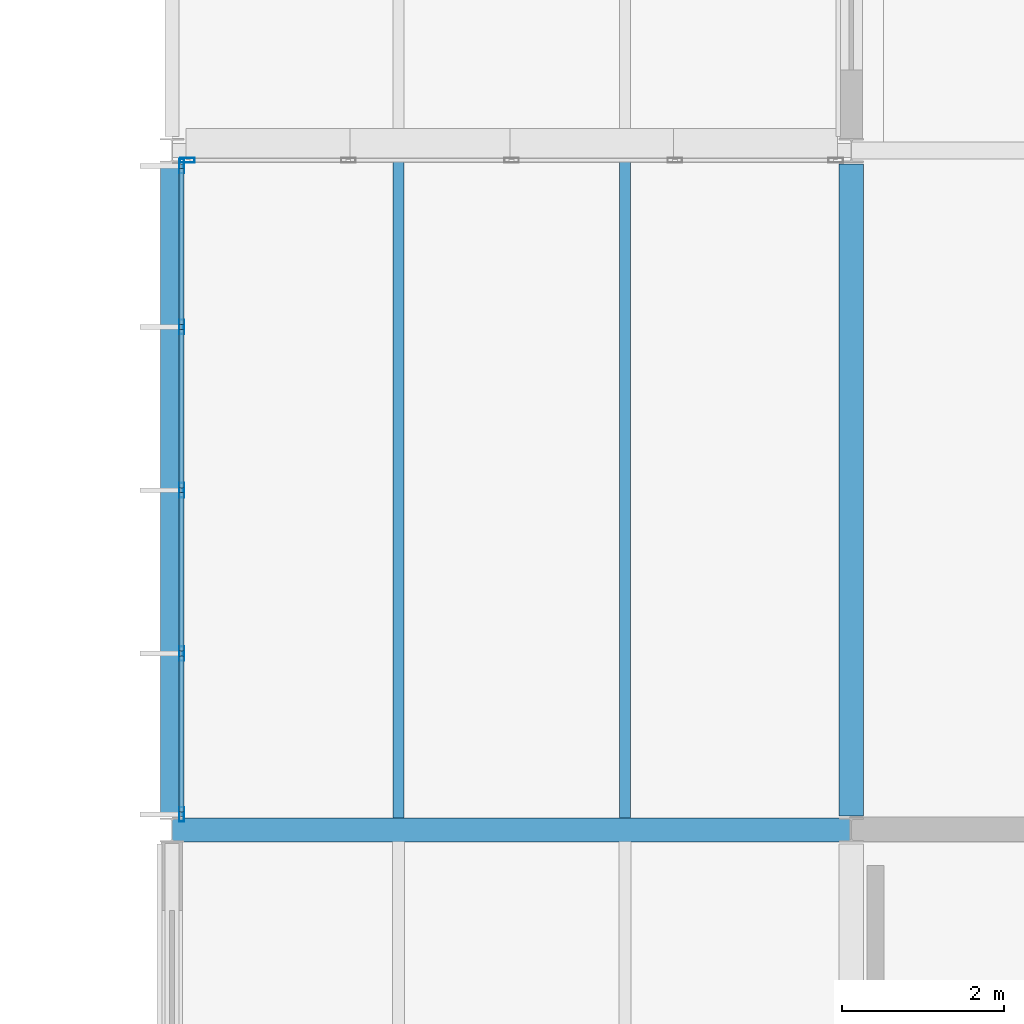
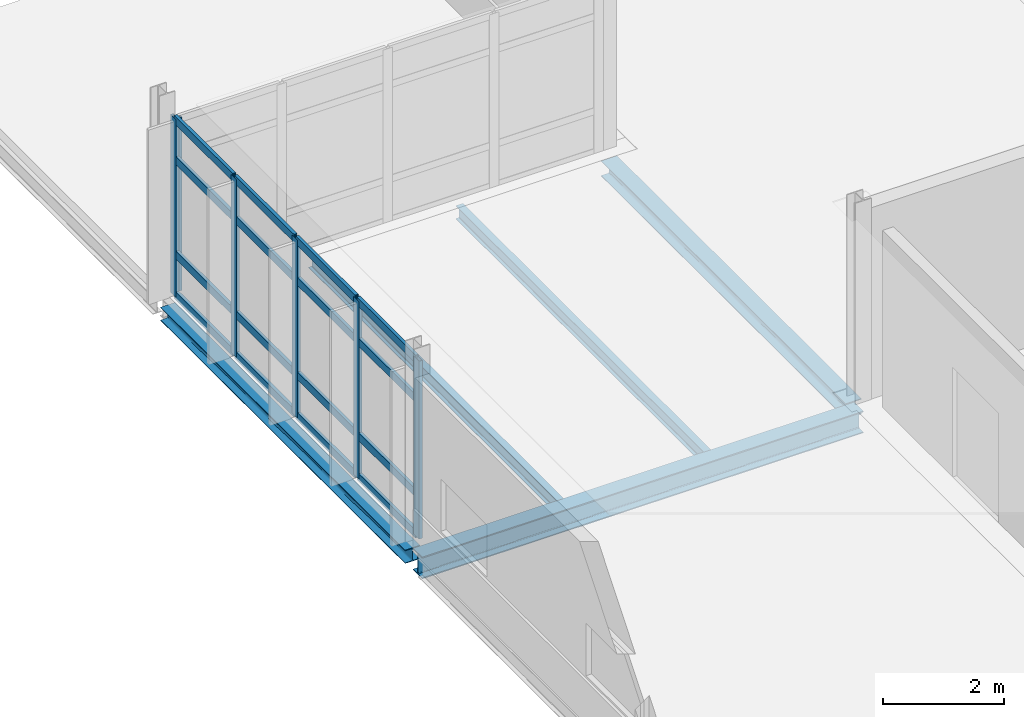
# One storey, part 30 of 66: 22 members, 5 beams, 2 elements without a shape of their own.
"""IFC4 building model written with IfcOpenShell, lengths in metres."""

from ifc_helpers import new_model, si_unit, direction, frame, origin, origin_2d, place, context, subcontext, project, spatial, hollow_rectangle, i_section, extrude, material, material_profile, profile_set, type_object, element, aggregate, save


model = new_model("IFC4")

# Units and contexts
model_context = context("Model", 3, precision=1e-05, world=origin(), true_north=direction((0.0, 1.0)))
body_context = subcontext(model_context, "Body", "Model", "MODEL_VIEW")
ifc_project = project(units=[si_unit("LENGTHUNIT", "METRE"), si_unit("AREAUNIT", "SQUARE_METRE"), si_unit("VOLUMEUNIT", "CUBIC_METRE"), si_unit("PLANEANGLEUNIT", "RADIAN"), si_unit("MASSUNIT", "GRAM", prefix="KILO")], contexts=[model_context])

# Site, building, storey
site_placement = place(None, origin())
site = spatial("IfcSite", under=ifc_project, at=site_placement, CompositionType="ELEMENT")
building_placement = place(site_placement, origin())
building = spatial("IfcBuilding", under=site, at=building_placement, Name="Mersafa Astral City Hall", CompositionType="ELEMENT")
storey_placement = place(building_placement, frame((0.0, 0.0, 22.050048828125)))
storey = spatial("IfcBuildingStorey", under=building, at=storey_placement, Name="L05", CompositionType="ELEMENT", Elevation=22.050048828125)

# Curtain wall, member
ifc_material_1 = material(Name="Anodised bronze aluminium framing", Category="aluminium")
curtain_wall_type_1 = type_object("IfcCurtainWallType", Name="ENV-CW-2", PredefinedType="USERDEFINED", material=ifc_material_1)
curtain_wall_1_placement = place(storey_placement, origin())
curtain_wall_1 = element("IfcCurtainWall", 1, at=curtain_wall_1_placement, inside=storey, type_object=curtain_wall_type_1, Name="L05 Unitised solar curtain wall 247", ObjectType="UNITISED CURTAIN WALL", PredefinedType="USERDEFINED")
ifc_material_profile_1 = material_profile(ifc_material_1, hollow_rectangle(XDim=0.06005859375, YDim=0.179931640625, WallThickness=0.00390625, at=origin_2d()), Name="RHS 60x180x4")
ifc_profile_set_1 = profile_set([ifc_material_profile_1], Name="Anodised bronze aluminium framing")
member_type_1 = type_object("IfcMemberType", Name="ENV-CW-MUL-1", PredefinedType="MULLION", material=ifc_profile_set_1)
member_1_placement = place(storey_placement, frame((159.7919921875, 75.47998046875, -0.001953125), z_axis=(0.0, 0.0, 1.0), x_axis=(0.0, -1.0, 0.0)))
member_1 = element("IfcMember", 2, at=member_1_placement, type_object=member_type_1, Name="CW-2 mullion 5", PredefinedType="MULLION", context=body_context, shape_type="SweptSolid", body=[
    extrude(hollow_rectangle(XDim=0.06005859375, YDim=0.179931640625, WallThickness=0.00390625, at=origin_2d()), origin(), (0.0, 0.0, 1.0), 3.489013671875),
])
aggregate(curtain_wall_1, [member_1])

# Curtain wall, members
curtain_wall_type_2 = type_object("IfcCurtainWallType", Name="ENV-CW-3", PredefinedType="USERDEFINED", material=ifc_material_1)
curtain_wall_2_placement = place(storey_placement, origin())
curtain_wall_2 = element("IfcCurtainWall", 3, at=curtain_wall_2_placement, inside=storey, type_object=curtain_wall_type_2, Name="L05 Unitised solar curtain wall 248", ObjectType="UNITISED CURTAIN WALL", PredefinedType="USERDEFINED")
member_2_placement = place(storey_placement, frame((159.719970703125, 75.407958984375, -0.001953125), z_axis=(0.0, 0.0, 1.0), x_axis=(1.0, 0.0, 0.0)))
member_2 = element("IfcMember", 4, at=member_2_placement, type_object=member_type_1, Name="CW-3 mullion 1", PredefinedType="MULLION", context=body_context, shape_type="SweptSolid", body=[
    extrude(hollow_rectangle(XDim=0.06005859375, YDim=0.179931640625, WallThickness=0.00390625, at=origin_2d()), origin(), (0.0, 0.0, 1.0), 3.578857421875),
])
member_3_placement = place(storey_placement, frame((159.719970703125, 73.4189453125, -0.001953125), z_axis=(0.0, 0.0, 1.0), x_axis=(1.0, 0.0, 0.0)))
member_3 = element("IfcMember", 5, at=member_3_placement, type_object=member_type_1, Name="CW-3 mullion 2", PredefinedType="MULLION", context=body_context, shape_type="SweptSolid", body=[
    extrude(hollow_rectangle(XDim=0.06005859375, YDim=0.179931640625, WallThickness=0.00390625, at=origin_2d()), origin(), (0.0, 0.0, 1.0), 3.578857421875),
])
member_4_placement = place(storey_placement, frame((159.719970703125, 71.39990234375, -0.001953125), z_axis=(0.0, 0.0, 1.0), x_axis=(1.0, 0.0, 0.0)))
member_4 = element("IfcMember", 6, at=member_4_placement, type_object=member_type_1, Name="CW-3 mullion 3", PredefinedType="MULLION", context=body_context, shape_type="SweptSolid", body=[
    extrude(hollow_rectangle(XDim=0.06005859375, YDim=0.179931640625, WallThickness=0.00390625, at=origin_2d()), origin(), (0.0, 0.0, 1.0), 3.578857421875),
])
member_5_placement = place(storey_placement, frame((159.719970703125, 69.381103515625, -0.001953125), z_axis=(0.0, 0.0, 1.0), x_axis=(1.0, 0.0, 0.0)))
member_5 = element("IfcMember", 7, at=member_5_placement, type_object=member_type_1, Name="CW-3 mullion 4", PredefinedType="MULLION", context=body_context, shape_type="SweptSolid", body=[
    extrude(hollow_rectangle(XDim=0.06005859375, YDim=0.179931640625, WallThickness=0.00390625, at=origin_2d()), origin(), (0.0, 0.0, 1.0), 3.578857421875),
])
member_6_placement = place(storey_placement, frame((159.719970703125, 67.39208984375, -0.001953125), z_axis=(0.0, 0.0, 1.0), x_axis=(1.0, 0.0, 0.0)))
member_6 = element("IfcMember", 8, at=member_6_placement, type_object=member_type_1, Name="CW-3 mullion 5", PredefinedType="MULLION", context=body_context, shape_type="SweptSolid", body=[
    extrude(hollow_rectangle(XDim=0.06005859375, YDim=0.179931640625, WallThickness=0.00390625, at=origin_2d()), origin(), (0.0, 0.0, 1.0), 3.578857421875),
])
ifc_material_profile_2 = material_profile(ifc_material_1, hollow_rectangle(XDim=0.06005859375, YDim=0.159912109375, WallThickness=0.00390625, at=origin_2d()), Name="RHS 60x160x4")
ifc_profile_set_2 = profile_set([ifc_material_profile_2], Name="Anodised bronze aluminium framing")
member_type_2 = type_object("IfcMemberType", Name="ENV-CW-TRN-2", PredefinedType="USERDEFINED", material=ifc_profile_set_2)
member_7_placement = place(storey_placement, frame((159.719970703125, 75.3779296875, 0.02783203125), z_axis=(0.0, -1.0, 0.0), x_axis=(1.0, 0.0, 0.0)))
member_7 = element("IfcMember", 9, at=member_7_placement, type_object=member_type_2, Name="CW-3 transom 1.1", ObjectType="TRANSOM", PredefinedType="USERDEFINED", context=body_context, shape_type="SweptSolid", body=[
    extrude(hollow_rectangle(XDim=0.06005859375, YDim=0.159912109375, WallThickness=0.00390625, at=origin_2d()), origin(), (0.0, 0.0, 1.0), 1.928955078125),
])
member_8_placement = place(storey_placement, frame((159.719970703125, 75.3779296875, 0.849853515625), z_axis=(0.0, -1.0, 0.0), x_axis=(1.0, 0.0, 0.0)))
member_8 = element("IfcMember", 10, at=member_8_placement, type_object=member_type_2, Name="CW-3 transom 1.2", ObjectType="TRANSOM", PredefinedType="USERDEFINED", context=body_context, shape_type="SweptSolid", body=[
    extrude(hollow_rectangle(XDim=0.06005859375, YDim=0.159912109375, WallThickness=0.00390625, at=origin_2d()), origin(), (0.0, 0.0, 1.0), 1.928955078125),
])
member_9_placement = place(storey_placement, frame((159.719970703125, 75.3779296875, 2.75), z_axis=(0.0, -1.0, 0.0), x_axis=(1.0, 0.0, 0.0)))
member_9 = element("IfcMember", 11, at=member_9_placement, type_object=member_type_2, Name="CW-3 transom 1.3", ObjectType="TRANSOM", PredefinedType="USERDEFINED", context=body_context, shape_type="SweptSolid", body=[
    extrude(hollow_rectangle(XDim=0.06005859375, YDim=0.159912109375, WallThickness=0.00390625, at=origin_2d()), origin(), (0.0, 0.0, 1.0), 1.928955078125),
])
member_10_placement = place(storey_placement, frame((159.719970703125, 75.3779296875, 3.546875), z_axis=(0.0, -1.0, 0.0), x_axis=(1.0, 0.0, 0.0)))
member_10 = element("IfcMember", 12, at=member_10_placement, type_object=member_type_2, Name="CW-3 transom 1.4", ObjectType="TRANSOM", PredefinedType="USERDEFINED", context=body_context, shape_type="SweptSolid", body=[
    extrude(hollow_rectangle(XDim=0.06005859375, YDim=0.159912109375, WallThickness=0.00390625, at=origin_2d()), origin(), (0.0, 0.0, 1.0), 1.928955078125),
])
member_11_placement = place(storey_placement, frame((159.719970703125, 73.388916015625, 0.02783203125), z_axis=(0.0, -1.0, 0.0), x_axis=(1.0, 0.0, 0.0)))
member_11 = element("IfcMember", 13, at=member_11_placement, type_object=member_type_2, Name="CW-3 transom 2.1", ObjectType="TRANSOM", PredefinedType="USERDEFINED", context=body_context, shape_type="SweptSolid", body=[
    extrude(hollow_rectangle(XDim=0.06005859375, YDim=0.159912109375, WallThickness=0.00390625, at=origin_2d()), origin(), (0.0, 0.0, 1.0), 1.958984375),
])
member_12_placement = place(storey_placement, frame((159.719970703125, 73.388916015625, 0.849853515625), z_axis=(0.0, -1.0, 0.0), x_axis=(1.0, 0.0, 0.0)))
member_12 = element("IfcMember", 14, at=member_12_placement, type_object=member_type_2, Name="CW-3 transom 2.2", ObjectType="TRANSOM", PredefinedType="USERDEFINED", context=body_context, shape_type="SweptSolid", body=[
    extrude(hollow_rectangle(XDim=0.06005859375, YDim=0.159912109375, WallThickness=0.00390625, at=origin_2d()), origin(), (0.0, 0.0, 1.0), 1.958984375),
])
member_13_placement = place(storey_placement, frame((159.719970703125, 73.388916015625, 2.75), z_axis=(0.0, -1.0, 0.0), x_axis=(1.0, 0.0, 0.0)))
member_13 = element("IfcMember", 15, at=member_13_placement, type_object=member_type_2, Name="CW-3 transom 2.3", ObjectType="TRANSOM", PredefinedType="USERDEFINED", context=body_context, shape_type="SweptSolid", body=[
    extrude(hollow_rectangle(XDim=0.06005859375, YDim=0.159912109375, WallThickness=0.00390625, at=origin_2d()), origin(), (0.0, 0.0, 1.0), 1.958984375),
])
member_14_placement = place(storey_placement, frame((159.719970703125, 73.388916015625, 3.546875), z_axis=(0.0, -1.0, 0.0), x_axis=(1.0, 0.0, 0.0)))
member_14 = element("IfcMember", 16, at=member_14_placement, type_object=member_type_2, Name="CW-3 transom 2.4", ObjectType="TRANSOM", PredefinedType="USERDEFINED", context=body_context, shape_type="SweptSolid", body=[
    extrude(hollow_rectangle(XDim=0.06005859375, YDim=0.159912109375, WallThickness=0.00390625, at=origin_2d()), origin(), (0.0, 0.0, 1.0), 1.958984375),
])
member_15_placement = place(storey_placement, frame((159.719970703125, 71.3701171875, 0.02783203125), z_axis=(0.0, -1.0, 0.0), x_axis=(1.0, 0.0, 0.0)))
member_15 = element("IfcMember", 17, at=member_15_placement, type_object=member_type_2, Name="CW-3 transom 3.1", ObjectType="TRANSOM", PredefinedType="USERDEFINED", context=body_context, shape_type="SweptSolid", body=[
    extrude(hollow_rectangle(XDim=0.06005859375, YDim=0.159912109375, WallThickness=0.00390625, at=origin_2d()), origin(), (0.0, 0.0, 1.0), 1.959228515625),
])
member_16_placement = place(storey_placement, frame((159.719970703125, 71.3701171875, 0.849853515625), z_axis=(0.0, -1.0, 0.0), x_axis=(1.0, 0.0, 0.0)))
member_16 = element("IfcMember", 18, at=member_16_placement, type_object=member_type_2, Name="CW-3 transom 3.2", ObjectType="TRANSOM", PredefinedType="USERDEFINED", context=body_context, shape_type="SweptSolid", body=[
    extrude(hollow_rectangle(XDim=0.06005859375, YDim=0.159912109375, WallThickness=0.00390625, at=origin_2d()), origin(), (0.0, 0.0, 1.0), 1.959228515625),
])
member_17_placement = place(storey_placement, frame((159.719970703125, 71.3701171875, 2.75), z_axis=(0.0, -1.0, 0.0), x_axis=(1.0, 0.0, 0.0)))
member_17 = element("IfcMember", 19, at=member_17_placement, type_object=member_type_2, Name="CW-3 transom 3.3", ObjectType="TRANSOM", PredefinedType="USERDEFINED", context=body_context, shape_type="SweptSolid", body=[
    extrude(hollow_rectangle(XDim=0.06005859375, YDim=0.159912109375, WallThickness=0.00390625, at=origin_2d()), origin(), (0.0, 0.0, 1.0), 1.959228515625),
])
member_18_placement = place(storey_placement, frame((159.719970703125, 71.3701171875, 3.546875), z_axis=(0.0, -1.0, 0.0), x_axis=(1.0, 0.0, 0.0)))
member_18 = element("IfcMember", 20, at=member_18_placement, type_object=member_type_2, Name="CW-3 transom 3.4", ObjectType="TRANSOM", PredefinedType="USERDEFINED", context=body_context, shape_type="SweptSolid", body=[
    extrude(hollow_rectangle(XDim=0.06005859375, YDim=0.159912109375, WallThickness=0.00390625, at=origin_2d()), origin(), (0.0, 0.0, 1.0), 1.959228515625),
])
member_19_placement = place(storey_placement, frame((159.719970703125, 69.35107421875, 0.02783203125), z_axis=(0.0, -1.0, 0.0), x_axis=(1.0, 0.0, 0.0)))
member_19 = element("IfcMember", 21, at=member_19_placement, type_object=member_type_2, Name="CW-3 transom 4.1", ObjectType="TRANSOM", PredefinedType="USERDEFINED", context=body_context, shape_type="SweptSolid", body=[
    extrude(hollow_rectangle(XDim=0.06005859375, YDim=0.159912109375, WallThickness=0.00390625, at=origin_2d()), origin(), (0.0, 0.0, 1.0), 1.928955078125),
])
member_20_placement = place(storey_placement, frame((159.719970703125, 69.35107421875, 0.849853515625), z_axis=(0.0, -1.0, 0.0), x_axis=(1.0, 0.0, 0.0)))
member_20 = element("IfcMember", 22, at=member_20_placement, type_object=member_type_2, Name="CW-3 transom 4.2", ObjectType="TRANSOM", PredefinedType="USERDEFINED", context=body_context, shape_type="SweptSolid", body=[
    extrude(hollow_rectangle(XDim=0.06005859375, YDim=0.159912109375, WallThickness=0.00390625, at=origin_2d()), origin(), (0.0, 0.0, 1.0), 1.928955078125),
])
member_21_placement = place(storey_placement, frame((159.719970703125, 69.35107421875, 2.75), z_axis=(0.0, -1.0, 0.0), x_axis=(1.0, 0.0, 0.0)))
member_21 = element("IfcMember", 23, at=member_21_placement, type_object=member_type_2, Name="CW-3 transom 4.3", ObjectType="TRANSOM", PredefinedType="USERDEFINED", context=body_context, shape_type="SweptSolid", body=[
    extrude(hollow_rectangle(XDim=0.06005859375, YDim=0.159912109375, WallThickness=0.00390625, at=origin_2d()), origin(), (0.0, 0.0, 1.0), 1.928955078125),
])
member_22_placement = place(storey_placement, frame((159.719970703125, 69.35107421875, 3.546875), z_axis=(0.0, -1.0, 0.0), x_axis=(1.0, 0.0, 0.0)))
member_22 = element("IfcMember", 24, at=member_22_placement, type_object=member_type_2, Name="CW-3 transom 4.4", ObjectType="TRANSOM", PredefinedType="USERDEFINED", context=body_context, shape_type="SweptSolid", body=[
    extrude(hollow_rectangle(XDim=0.06005859375, YDim=0.159912109375, WallThickness=0.00390625, at=origin_2d()), origin(), (0.0, 0.0, 1.0), 1.928955078125),
])
aggregate(curtain_wall_2, [member_2, member_3, member_4, member_5, member_6, member_7, member_8, member_9, member_10, member_11, member_12, member_13, member_14, member_15, member_16, member_17, member_18, member_19, member_20, member_21, member_22])

# Beams
ifc_material_2 = material(Name="Steel S355", Category="steel")
ifc_material_profile_3 = material_profile(ifc_material_2, i_section(OverallWidth=0.300048828125, OverallDepth=0.31005859375, WebThickness=0.009033203125, FlangeThickness=0.015380859375, FilletRadius=0.027099609375, at=origin_2d()), Name="HEA 320")
ifc_profile_set_3 = profile_set([ifc_material_profile_3], Name="Steel S355")
beam_type_1 = type_object("IfcBeamType", Name="STR-BM-HEA320", PredefinedType="BEAM", material=ifc_profile_set_3)
beam_1_placement = place(storey_placement, frame((168.0, 67.375, -0.3349609375), z_axis=(0.0, 1.0, 0.0), x_axis=(-1.0, 0.0, 0.0)))
element("IfcBeam", 25, at=beam_1_placement, inside=storey, type_object=beam_type_1, Name="L05 Primary girder Y 20-8", PredefinedType="BEAM", context=body_context, shape_type="SweptSolid", body=[
    extrude(i_section(OverallWidth=0.300048828125, OverallDepth=0.31005859375, WebThickness=0.009033203125, FlangeThickness=0.015380859375, FilletRadius=0.027099609375, at=origin_2d()), origin(), (0.0, 0.0, 1.0), 8.06005859375),
])
ifc_material_profile_4 = material_profile(ifc_material_2, i_section(OverallWidth=0.300048828125, OverallDepth=0.43994140625, WebThickness=0.011474609375, FlangeThickness=0.02099609375, FilletRadius=0.027099609375, at=origin_2d()), Name="HEA 450")
ifc_profile_set_4 = profile_set([ifc_material_profile_4], Name="Steel S355")
beam_type_2 = type_object("IfcBeamType", Name="STR-BM-HEA450", PredefinedType="BEAM", material=ifc_profile_set_4)
beam_2_placement = place(storey_placement, frame((159.60302734375, 67.199951171875, -0.400146484375), z_axis=(1.0, 0.0, 0.0), x_axis=(0.0, 1.0, 0.0)))
element("IfcBeam", 26, at=beam_2_placement, inside=storey, type_object=beam_type_2, Name="L05 Primary girder X 19-8", PredefinedType="BEAM", context=body_context, shape_type="SweptSolid", body=[
    extrude(i_section(OverallWidth=0.300048828125, OverallDepth=0.43994140625, WebThickness=0.011474609375, FlangeThickness=0.02099609375, FilletRadius=0.027099609375, at=origin_2d()), origin(), (0.0, 0.0, 1.0), 8.39404296875),
])
ifc_material_profile_5 = material_profile(ifc_material_2, i_section(OverallWidth=0.135009765625, OverallDepth=0.27001953125, WebThickness=0.006591796875, FlangeThickness=0.01025390625, FilletRadius=0.014892578125, at=origin_2d()), Name="IPE 270")
ifc_profile_set_5 = profile_set([ifc_material_profile_5], Name="Steel S355")
beam_type_3 = type_object("IfcBeamType", Name="STR-BM-JOIST-IPE270", PredefinedType="JOIST", material=ifc_profile_set_5)
for number, where, z_axis, x_axis, name in (
    (27, (162.39990234375, 67.344970703125, -0.31494140625), (0.0, 1.0, 0.0), (-1.0, 0.0, 0.0), "L05 Composite secondary floor joist 821"),
    (28, (165.199951171875, 67.344970703125, -0.31494140625), (0.0, 1.0, 0.0), (-1.0, 0.0, 0.0), "L05 Composite secondary floor joist 822"),
):
    element("IfcBeam", number, at=place(storey_placement, frame(where, z_axis=z_axis, x_axis=x_axis)), inside=storey, type_object=beam_type_3, Name=name, PredefinedType="JOIST", context=body_context, shape_type="SweptSolid", body=[
        extrude(i_section(OverallWidth=0.135009765625, OverallDepth=0.27001953125, WebThickness=0.006591796875, FlangeThickness=0.01025390625, FilletRadius=0.014892578125, at=origin_2d()), origin(), (0.0, 0.0, 1.0), 8.175048828125),
    ])
ifc_material_profile_6 = material_profile(ifc_material_2, i_section(OverallWidth=0.280029296875, OverallDepth=0.27001953125, WebThickness=0.008056640625, FlangeThickness=0.012939453125, FilletRadius=0.02392578125, at=origin_2d()), Name="HEA 280")
ifc_profile_set_6 = profile_set([ifc_material_profile_6], Name="Steel S355")
beam_type_4 = type_object("IfcBeamType", Name="STR-BM-SPANDREL-HEA280", PredefinedType="SPANDREL", material=ifc_profile_set_6)
beam_3_placement = place(storey_placement, frame((159.60009765625, 67.364990234375, -0.31494140625), z_axis=(0.0, 1.0, 0.0), x_axis=(-1.0, 0.0, 0.0)))
element("IfcBeam", 29, at=beam_3_placement, inside=storey, type_object=beam_type_4, Name="L05 Primary girder Y 19-8", PredefinedType="SPANDREL", context=body_context, shape_type="SweptSolid", body=[
    extrude(i_section(OverallWidth=0.280029296875, OverallDepth=0.27001953125, WebThickness=0.008056640625, FlangeThickness=0.012939453125, FilletRadius=0.02392578125, at=origin_2d()), origin(), (0.0, 0.0, 1.0), 8.06005859375),
])

save(model, "model.ifc")
